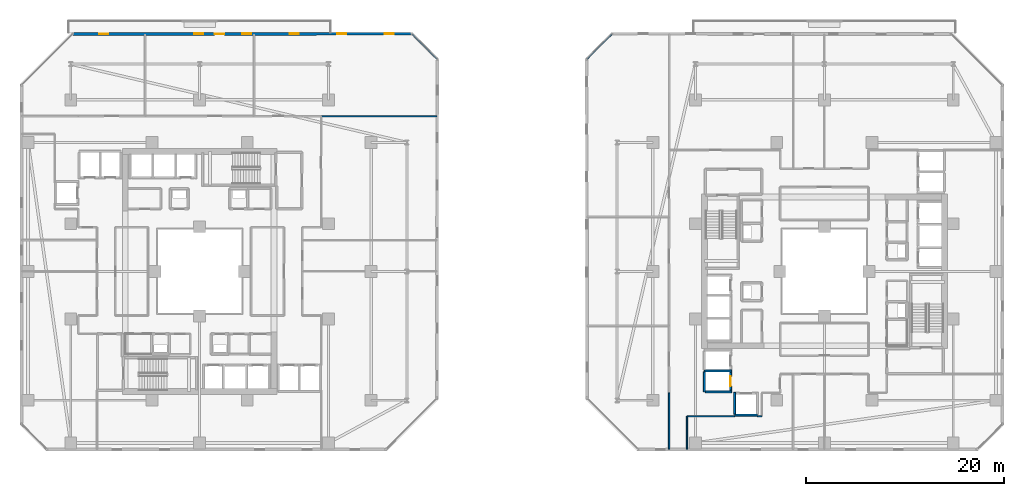
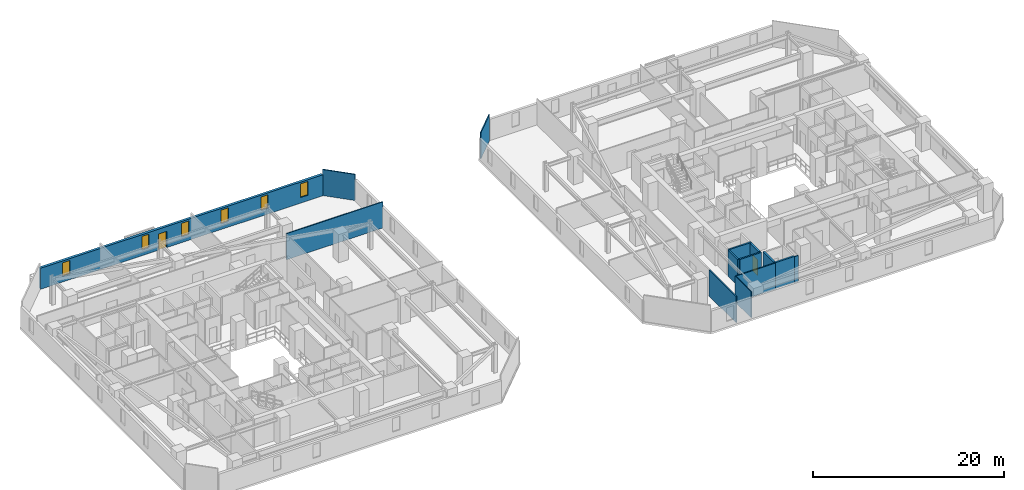
# One storey, part 20 of 31: 14 walls, 6 windows, 2 doors, 8 openings.
"""IFC4 building model written with IfcOpenShell, lengths in metres."""

from ifc_helpers import new_model, si_unit, direction, frame, frame_2d, origin, place, context, subcontext, project, spatial, rectangle, extrude, material, layer, layer_set, type_object, element, fill, save


model = new_model("IFC4")

# Units and contexts
model_context = context("Model", 3, precision=1e-05, world=origin(), true_north=direction((0.0, 1.0)))
body_context = subcontext(model_context, "Body", "Model", "MODEL_VIEW")
ifc_project = project(units=[si_unit("LENGTHUNIT", "METRE"), si_unit("AREAUNIT", "SQUARE_METRE"), si_unit("VOLUMEUNIT", "CUBIC_METRE"), si_unit("PLANEANGLEUNIT", "RADIAN"), si_unit("MASSUNIT", "GRAM", prefix="KILO")], contexts=[model_context])

# Site, building, storey
site_placement = place(None, origin())
site = spatial("IfcSite", under=ifc_project, at=site_placement, CompositionType="ELEMENT")
building_placement = place(site_placement, origin())
building = spatial("IfcBuilding", under=site, at=building_placement, Name="Thornwick Lancets Civic Towers", CompositionType="ELEMENT")
storey_placement = place(building_placement, frame((0.0, 0.0, 87.300048828125)))
storey = spatial("IfcBuildingStorey", under=building, at=storey_placement, Name="L22", CompositionType="ELEMENT", Elevation=87.300048828125)

# Wall, opening, door
ifc_material_1 = material(Name="Concrete blockwork C40/50", Category="masonry")
ifc_layer_1 = layer(ifc_material_1, 0.199951171875, Name="Concrete blockwork C40/50")
ifc_layer_set_1 = layer_set([ifc_layer_1], Name="Concrete blockwork C40/50")
wall_type_1 = type_object("IfcWallType", Name="WALL_COMP_200", PredefinedType="STANDARD", material=ifc_layer_set_1)
wall_1_placement = place(storey_placement, frame((79.050048828125, 15.030029296875, 0.0), z_axis=(0.0, 0.0, 1.0), x_axis=(0.0, 1.0, 0.0)))
wall_1 = element("IfcWall", 1, at=wall_1_placement, inside=storey, type_object=wall_type_1, Name="L22 Hoistway Front Wall PL-BM2", PredefinedType="STANDARD", context=body_context, shape_type="SweptSolid", body=[
    extrude(rectangle(XDim=1.7900390625, YDim=0.199951171875, at=frame_2d((0.89501953125, 0.0))), origin(), (0.0, 0.0, 1.0), 3.33984375),
])
opening_1_placement = place(wall_1_placement, frame((0.385009765625, 0.0, 0.0)))
opening_1 = element("IfcOpeningElement", 2, at=opening_1_placement, cuts=wall_1, Name="Opening LD-PL-BM2", PredefinedType="OPENING", context=body_context, shape_type="SweptSolid", body=[
    extrude(rectangle(XDim=1.02001953125, YDim=2.06005859375, at=frame_2d((0.510009765625, 1.030029296875))), frame((0.0, 0.10986328125, 0.0), z_axis=(0.0, -1.0, 0.0), x_axis=(1.0, 0.0, 0.0)), (0.0, 0.0, 1.0), 0.219970703125),
])
ifc_material_2 = material(Name="Brushed bronze stainless steel", Category="steel")
door_type_1 = type_object("IfcDoorType", Name="DOOR_LIFT_SLIDE", OperationType="SLIDING_TO_LEFT", PredefinedType="DOOR", material=ifc_material_2)
door_1_placement = place(opening_1_placement, origin())
door_1 = element("IfcDoor", 3, at=door_1_placement, inside=storey, type_object=door_type_1, Name="L22 Sliding Lift Landing Door LD-PL-BM2", OperationType="SLIDING_TO_LEFT", OverallHeight=2.06005859375, OverallWidth=1.02001953125, PredefinedType="DOOR", context=body_context, shape_type="SweptSolid", body=[
    extrude(rectangle(XDim=1.02001953125, YDim=2.06005859375, at=frame_2d((0.510009765625, 1.030029296875))), frame((0.0, 0.02490234375, 0.0), z_axis=(0.0, -1.0, 0.0), x_axis=(1.0, 0.0, 0.0)), (0.0, 0.0, 1.0), 0.050048828125),
])
fill(opening_1, door_1)

# Walls
wall_2_placement = place(storey_placement, frame((76.402099609375, 16.97509765625, 0.0), z_axis=(0.0, 0.0, 1.0), x_axis=(1.0, 0.0, 0.0)))
element("IfcWall", 4, at=wall_2_placement, inside=storey, type_object=wall_type_1, Name="L22 Hoistway Shaft Wall PL-BM1 S", PredefinedType="STANDARD", context=body_context, shape_type="SweptSolid", body=[
    extrude(rectangle(XDim=2.745849609375, YDim=0.199951171875, at=frame_2d((1.373046875, 0.0))), origin(), (0.0, 0.0, 1.0), 3.33984375),
])
wall_3_placement = place(storey_placement, frame((76.39990234375, 14.85205078125, 0.0), z_axis=(0.0, 0.0, 1.0), x_axis=(0.0, 1.0, 0.0)))
element("IfcWall", 5, at=wall_3_placement, inside=storey, type_object=wall_type_1, Name="L22 Hoistway Shaft Wall PL-BM1 W", PredefinedType="STANDARD", context=body_context, shape_type="SweptSolid", body=[
    extrude(rectangle(XDim=2.015869140625, YDim=0.199951171875, at=frame_2d((1.0078125, 0.0))), origin(), (0.0, 0.0, 1.0), 3.33984375),
])
wall_4_placement = place(storey_placement, frame((76.511962890625, 14.85009765625, 0.0), z_axis=(0.0, 0.0, 1.0), x_axis=(1.0, 0.0, 0.0)))
element("IfcWall", 6, at=wall_4_placement, inside=storey, type_object=wall_type_1, Name="L22 Hoistway Shaft Wall PL-BM2 S", PredefinedType="STANDARD", context=body_context, shape_type="SweptSolid", body=[
    extrude(rectangle(XDim=2.635986328125, YDim=0.199951171875, at=frame_2d((1.31787109375, 0.0))), origin(), (0.0, 0.0, 1.0), 3.33984375),
])
wall_5_placement = place(storey_placement, frame((79.451904296875, 12.5, 0.0), z_axis=(0.0, 0.0, 1.0), x_axis=(1.0, 0.0, 0.0)))
element("IfcWall", 7, at=wall_5_placement, inside=storey, type_object=wall_type_1, Name="L22 Hoistway Shaft Wall PL-BM3 S", PredefinedType="STANDARD", context=body_context, shape_type="SweptSolid", body=[
    extrude(rectangle(XDim=2.296142578125, YDim=0.199951171875, at=frame_2d((1.14794921875, 0.0))), origin(), (0.0, 0.0, 1.0), 3.33984375),
])
wall_6_placement = place(storey_placement, frame((79.449951171875, 12.612060546875, 0.0), z_axis=(0.0, 0.0, 1.0), x_axis=(0.0, 1.0, 0.0)))
element("IfcWall", 8, at=wall_6_placement, inside=storey, type_object=wall_type_1, Name="L22 Hoistway Shaft Wall PL-BM3 W", PredefinedType="STANDARD", context=body_context, shape_type="SweptSolid", body=[
    extrude(rectangle(XDim=2.18603515625, YDim=0.199951171875, at=frame_2d((1.093017578125, 0.0))), origin(), (0.0, 0.0, 1.0), 3.33984375),
])

# Wall, openings, door, windows
ifc_material_3 = material(Name="Insulated russet terracotta rainscreen on concrete C40/50", Category="masonry")
ifc_layer_2 = layer(ifc_material_3, 0.300048828125, Name="Insulated russet terracotta rainscreen on concrete C40/50")
ifc_layer_set_2 = layer_set([ifc_layer_2], Name="Insulated russet terracotta rainscreen on concrete C40/50")
wall_type_2 = type_object("IfcWallType", Name="WALL_EXT_RUSSET_300", PredefinedType="STANDARD", material=ifc_layer_set_2)
wall_7_placement = place(storey_placement, frame((46.88134765625, 50.964599609375, 0.0), z_axis=(0.0, 0.0, 1.0), x_axis=(-0.999999970468, -0.000243032466, 0.0)))
wall_7 = element("IfcWall", 9, at=wall_7_placement, inside=storey, type_object=wall_type_2, Name="L22 Tower A Terracotta Facade Wall E4", PredefinedType="STANDARD", context=body_context, shape_type="SweptSolid", body=[
    extrude(rectangle(XDim=34.155029296875, YDim=0.300048828125, at=frame_2d((17.07763671875, 0.0))), origin(), (0.0, 0.0, 1.0), 2.699951171875),
])
opening_2_placement = place(wall_7_placement, frame((18.877685546875, 0.0, 0.0)))
opening_2 = element("IfcOpeningElement", 10, at=opening_2_placement, cuts=wall_7, Name="Opening D-BL-L22-AN", PredefinedType="OPENING", context=body_context, shape_type="SweptSolid", body=[
    extrude(rectangle(XDim=1.0, YDim=2.080078125, at=frame_2d((0.5, 1.0400390625))), frame((0.0, 0.16015625, 0.0), z_axis=(0.0, -1.0, 0.0), x_axis=(1.0, 0.0, 0.0)), (0.0, 0.0, 1.0), 0.320068359375),
])
opening_3_placement = place(wall_7_placement, frame((1.800048828125, 0.0, 0.719970703125)))
opening_3 = element("IfcOpeningElement", 11, at=opening_3_placement, cuts=wall_7, Name="Opening WL-01", PredefinedType="OPENING", context=body_context, shape_type="SweptSolid", body=[
    extrude(rectangle(XDim=0.89990234375, YDim=1.75, at=frame_2d((0.449951171875, 0.875))), frame((0.0, 0.16015625, 0.0), z_axis=(0.0, -1.0, 0.0), x_axis=(1.0, 0.0, 0.0)), (0.0, 0.0, 1.0), 0.320068359375),
])
opening_4_placement = place(wall_7_placement, frame((6.60009765625, 0.0, 0.719970703125)))
opening_4 = element("IfcOpeningElement", 12, at=opening_4_placement, cuts=wall_7, Name="Opening WL-01", PredefinedType="OPENING", context=body_context, shape_type="SweptSolid", body=[
    extrude(rectangle(XDim=0.89990234375, YDim=1.75, at=frame_2d((0.449951171875, 0.875))), frame((0.0, 0.16015625, 0.0), z_axis=(0.0, -1.0, 0.0), x_axis=(1.0, 0.0, 0.0)), (0.0, 0.0, 1.0), 0.320068359375),
])
opening_5_placement = place(wall_7_placement, frame((11.39990234375, 0.0, 0.719970703125)))
opening_5 = element("IfcOpeningElement", 13, at=opening_5_placement, cuts=wall_7, Name="Opening WL-01", PredefinedType="OPENING", context=body_context, shape_type="SweptSolid", body=[
    extrude(rectangle(XDim=0.89990234375, YDim=1.75, at=frame_2d((0.449951171875, 0.875))), frame((0.0, 0.16015625, 0.0), z_axis=(0.0, -1.0, 0.0), x_axis=(1.0, 0.0, 0.0)), (0.0, 0.0, 1.0), 0.320068359375),
])
opening_6_placement = place(wall_7_placement, frame((16.199951171875, 0.0, 0.719970703125)))
opening_6 = element("IfcOpeningElement", 14, at=opening_6_placement, cuts=wall_7, Name="Opening WL-01", PredefinedType="OPENING", context=body_context, shape_type="SweptSolid", body=[
    extrude(rectangle(XDim=0.89990234375, YDim=1.75, at=frame_2d((0.449951171875, 0.875))), frame((0.0, 0.16015625, 0.0), z_axis=(0.0, -1.0, 0.0), x_axis=(1.0, 0.0, 0.0)), (0.0, 0.0, 1.0), 0.320068359375),
])
opening_7_placement = place(wall_7_placement, frame((21.0, 0.0, 0.719970703125)))
opening_7 = element("IfcOpeningElement", 15, at=opening_7_placement, cuts=wall_7, Name="Opening WL-01", PredefinedType="OPENING", context=body_context, shape_type="SweptSolid", body=[
    extrude(rectangle(XDim=0.89990234375, YDim=1.75, at=frame_2d((0.449951171875, 0.875))), frame((0.0, 0.16015625, 0.0), z_axis=(0.0, -1.0, 0.0), x_axis=(1.0, 0.0, 0.0)), (0.0, 0.0, 1.0), 0.320068359375),
])
opening_8_placement = place(wall_7_placement, frame((30.60009765625, 0.0, 0.719970703125)))
opening_8 = element("IfcOpeningElement", 16, at=opening_8_placement, cuts=wall_7, Name="Opening WL-01", PredefinedType="OPENING", context=body_context, shape_type="SweptSolid", body=[
    extrude(rectangle(XDim=0.89990234375, YDim=1.75, at=frame_2d((0.449951171875, 0.875))), frame((0.0, 0.16015625, 0.0), z_axis=(0.0, -1.0, 0.0), x_axis=(1.0, 0.0, 0.0)), (0.0, 0.0, 1.0), 0.320068359375),
])
ifc_material_4 = material(Name="Thermally broken glazed loggia doorset")
door_type_2 = type_object("IfcDoorType", Name="DOOR_BALC_1000", OperationType="NOTDEFINED", PredefinedType="DOOR", material=ifc_material_4)
door_2_placement = place(opening_2_placement, origin())
door_2 = element("IfcDoor", 17, at=door_2_placement, inside=storey, type_object=door_type_2, Name="L22 Tower A Loggia Balcony Door N", OperationType="SINGLE_SWING_LEFT", OverallHeight=2.080078125, OverallWidth=1.0, PredefinedType="DOOR", context=body_context, shape_type="SweptSolid", body=[
    extrude(rectangle(XDim=1.0, YDim=2.080078125, at=frame_2d((0.5, 1.0400390625))), frame((0.0, 0.02490234375, 0.0), z_axis=(0.0, -1.0, 0.0), x_axis=(1.0, 0.0, 0.0)), (0.0, 0.0, 1.0), 0.050048828125),
])
fill(opening_2, door_2)
ifc_material_5 = material(Name="Clear low-e double glazing in bronze frame", Category="glass")
window_type = type_object("IfcWindowType", Name="WIN_LANCET_900", PartitioningType="SINGLE_PANEL", PredefinedType="WINDOW", material=ifc_material_5)
window_1_placement = place(opening_3_placement, origin())
window_1 = element("IfcWindow", 18, at=window_1_placement, inside=storey, type_object=window_type, Name="L22 Tower A Staggered Lancet Window E4-1", OverallHeight=1.75, OverallWidth=0.89990234375, PartitioningType="SINGLE_PANEL", PredefinedType="WINDOW", context=body_context, shape_type="SweptSolid", body=[
    extrude(rectangle(XDim=0.89990234375, YDim=1.75, at=frame_2d((0.449951171875, 0.875))), frame((0.0, 0.030029296875, 0.0), z_axis=(0.0, -1.0, 0.0), x_axis=(1.0, 0.0, 0.0)), (0.0, 0.0, 1.0), 0.06005859375),
])
fill(opening_3, window_1)
window_2_placement = place(opening_4_placement, origin())
window_2 = element("IfcWindow", 19, at=window_2_placement, inside=storey, type_object=window_type, Name="L22 Tower A Staggered Lancet Window E4-2", OverallHeight=1.75, OverallWidth=0.89990234375, PartitioningType="SINGLE_PANEL", PredefinedType="WINDOW", context=body_context, shape_type="SweptSolid", body=[
    extrude(rectangle(XDim=0.89990234375, YDim=1.75, at=frame_2d((0.449951171875, 0.875))), frame((0.0, 0.030029296875, 0.0), z_axis=(0.0, -1.0, 0.0), x_axis=(1.0, 0.0, 0.0)), (0.0, 0.0, 1.0), 0.06005859375),
])
fill(opening_4, window_2)
window_3_placement = place(opening_5_placement, origin())
window_3 = element("IfcWindow", 20, at=window_3_placement, inside=storey, type_object=window_type, Name="L22 Tower A Staggered Lancet Window E4-3", OverallHeight=1.75, OverallWidth=0.89990234375, PartitioningType="SINGLE_PANEL", PredefinedType="WINDOW", context=body_context, shape_type="SweptSolid", body=[
    extrude(rectangle(XDim=0.89990234375, YDim=1.75, at=frame_2d((0.449951171875, 0.875))), frame((0.0, 0.030029296875, 0.0), z_axis=(0.0, -1.0, 0.0), x_axis=(1.0, 0.0, 0.0)), (0.0, 0.0, 1.0), 0.06005859375),
])
fill(opening_5, window_3)
window_4_placement = place(opening_6_placement, origin())
window_4 = element("IfcWindow", 21, at=window_4_placement, inside=storey, type_object=window_type, Name="L22 Tower A Staggered Lancet Window E4-4", OverallHeight=1.75, OverallWidth=0.89990234375, PartitioningType="SINGLE_PANEL", PredefinedType="WINDOW", context=body_context, shape_type="SweptSolid", body=[
    extrude(rectangle(XDim=0.89990234375, YDim=1.75, at=frame_2d((0.449951171875, 0.875))), frame((0.0, 0.030029296875, 0.0), z_axis=(0.0, -1.0, 0.0), x_axis=(1.0, 0.0, 0.0)), (0.0, 0.0, 1.0), 0.06005859375),
])
fill(opening_6, window_4)
window_5_placement = place(opening_7_placement, origin())
window_5 = element("IfcWindow", 22, at=window_5_placement, inside=storey, type_object=window_type, Name="L22 Tower A Staggered Lancet Window E4-5", OverallHeight=1.75, OverallWidth=0.89990234375, PartitioningType="SINGLE_PANEL", PredefinedType="WINDOW", context=body_context, shape_type="SweptSolid", body=[
    extrude(rectangle(XDim=0.89990234375, YDim=1.75, at=frame_2d((0.449951171875, 0.875))), frame((0.0, 0.030029296875, 0.0), z_axis=(0.0, -1.0, 0.0), x_axis=(1.0, 0.0, 0.0)), (0.0, 0.0, 1.0), 0.06005859375),
])
fill(opening_7, window_5)
window_6_placement = place(opening_8_placement, origin())
window_6 = element("IfcWindow", 23, at=window_6_placement, inside=storey, type_object=window_type, Name="L22 Tower A Staggered Lancet Window E4-6", OverallHeight=1.75, OverallWidth=0.89990234375, PartitioningType="SINGLE_PANEL", PredefinedType="WINDOW", context=body_context, shape_type="SweptSolid", body=[
    extrude(rectangle(XDim=0.89990234375, YDim=1.75, at=frame_2d((0.449951171875, 0.875))), frame((0.0, 0.030029296875, 0.0), z_axis=(0.0, -1.0, 0.0), x_axis=(1.0, 0.0, 0.0)), (0.0, 0.0, 1.0), 0.06005859375),
])
fill(opening_8, window_6)

# Walls
ifc_material_6 = material(Name="Acoustic gypsum board partition")
ifc_layer_3 = layer(ifc_material_6, 0.1201171875, Name="Acoustic gypsum board partition")
ifc_layer_set_3 = layer_set([ifc_layer_3], Name="Acoustic gypsum board partition")
wall_type_3 = type_object("IfcWallType", Name="WALL_PART_120", PredefinedType="PARTITIONING", material=ifc_layer_set_3)
wall_8_placement = place(storey_placement, frame((37.75, 42.64990234375, 0.0), z_axis=(0.0, 0.0, 1.0), x_axis=(1.0, 0.0, 0.0)))
element("IfcWall", 24, at=wall_8_placement, inside=storey, type_object=wall_type_3, Name="L22 Partition L22-A-E3 E4", PredefinedType="PARTITIONING", context=body_context, shape_type="SweptSolid", body=[
    extrude(rectangle(XDim=11.669921875, YDim=0.1201171875, at=frame_2d((5.8349609375, 0.0))), origin(), (0.0, 0.0, 1.0), 3.33984375),
])
wall_9_placement = place(storey_placement, frame((46.92529296875, 50.919921875, 0.0), z_axis=(0.0, 0.0, 1.0), x_axis=(0.707106781187, -0.707106781187, 0.0)))
element("IfcWall", 25, at=wall_9_placement, inside=storey, type_object=wall_type_3, Name="L22 Partition L22-A-N-OFF E5", PredefinedType="PARTITIONING", context=body_context, shape_type="SweptSolid", body=[
    extrude(rectangle(XDim=3.52783203125, YDim=0.1201171875, at=frame_2d((1.763916015625, 0.0))), origin(), (0.0, 0.0, 1.0), 3.33984375),
])
wall_10_placement = place(storey_placement, frame((74.64990234375, 9.080078125, 0.0), z_axis=(0.0, 0.0, 1.0), x_axis=(0.0, 1.0, 0.0)))
element("IfcWall", 26, at=wall_10_placement, inside=storey, type_object=wall_type_3, Name="L22 Partition L22-B-W3 E8", PredefinedType="PARTITIONING", context=body_context, shape_type="SweptSolid", body=[
    extrude(rectangle(XDim=3.31982421875, YDim=0.1201171875, at=frame_2d((1.659912109375, 0.0))), origin(), (0.0, 0.0, 1.0), 3.33984375),
])
wall_11_placement = place(storey_placement, frame((74.64990234375, 12.39990234375, 0.0), z_axis=(0.0, 0.0, 1.0), x_axis=(1.0, 0.0, 0.0)))
element("IfcWall", 27, at=wall_11_placement, inside=storey, type_object=wall_type_3, Name="L22 Partition L22-B-W3 E9", PredefinedType="PARTITIONING", context=body_context, shape_type="SweptSolid", body=[
    extrude(rectangle(XDim=4.802001953125, YDim=0.1201171875, at=frame_2d((2.40087890625, 0.0))), origin(), (0.0, 0.0, 1.0), 3.33984375),
])
wall_12_placement = place(storey_placement, frame((81.748046875, 12.39990234375, 0.0), z_axis=(0.0, 0.0, 1.0), x_axis=(1.0, 0.0, 0.0)))
element("IfcWall", 28, at=wall_12_placement, inside=storey, type_object=wall_type_3, Name="L22 Partition L22-B-W3 E9", PredefinedType="PARTITIONING", context=body_context, shape_type="SweptSolid", body=[
    extrude(rectangle(XDim=0.451904296875, YDim=0.1201171875, at=frame_2d((0.22607421875, 0.0))), origin(), (0.0, 0.0, 1.0), 3.33984375),
])
wall_13_placement = place(storey_placement, frame((64.580078125, 48.42529296875, 0.0), z_axis=(0.0, 0.0, 1.0), x_axis=(0.707106781187, 0.707106781187, 0.0)))
element("IfcWall", 29, at=wall_13_placement, inside=storey, type_object=wall_type_3, Name="L22 Partition L22-B-N-OFF E2", PredefinedType="PARTITIONING", context=body_context, shape_type="SweptSolid", body=[
    extrude(rectangle(XDim=3.52783203125, YDim=0.1201171875, at=frame_2d((1.763916015625, 0.0))), origin(), (0.0, 0.0, 1.0), 3.33984375),
])
ifc_material_7 = material(Name="Twin-stud acoustic gypsum board")
ifc_layer_4 = layer(ifc_material_7, 0.14990234375, Name="Twin-stud acoustic gypsum board")
ifc_layer_set_4 = layer_set([ifc_layer_4], Name="Twin-stud acoustic gypsum board")
wall_type_4 = type_object("IfcWallType", Name="WALL_PART_150", PredefinedType="PARTITIONING", material=ifc_layer_set_4)
wall_14_placement = place(storey_placement, frame((72.85009765625, 14.75, 0.0), z_axis=(0.0, 0.0, 1.0), x_axis=(0.0, -1.0, 0.0)))
element("IfcWall", 30, at=wall_14_placement, inside=storey, type_object=wall_type_4, Name="L22 Partition L22-B-N-CONF E1", PredefinedType="PARTITIONING", context=body_context, shape_type="SweptSolid", body=[
    extrude(rectangle(XDim=5.669921875, YDim=0.14990234375, at=frame_2d((2.8349609375, 0.0))), origin(), (0.0, 0.0, 1.0), 3.33984375),
])

save(model, "model.ifc")
